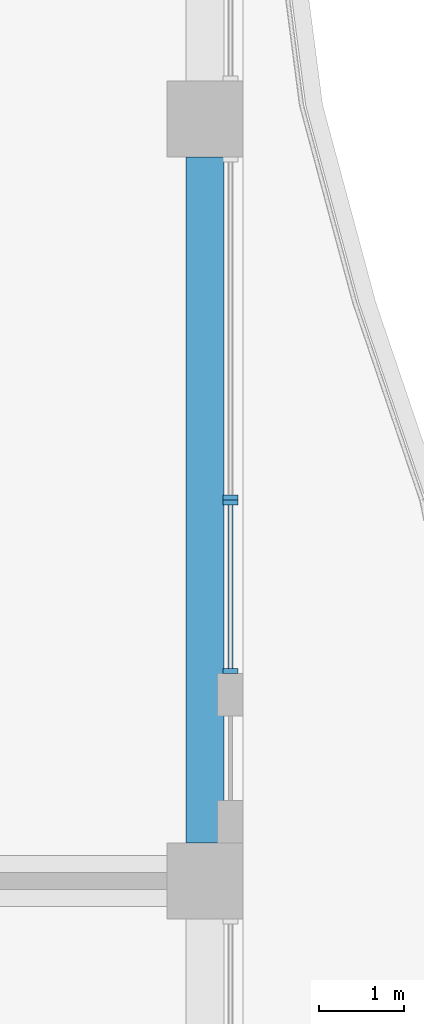
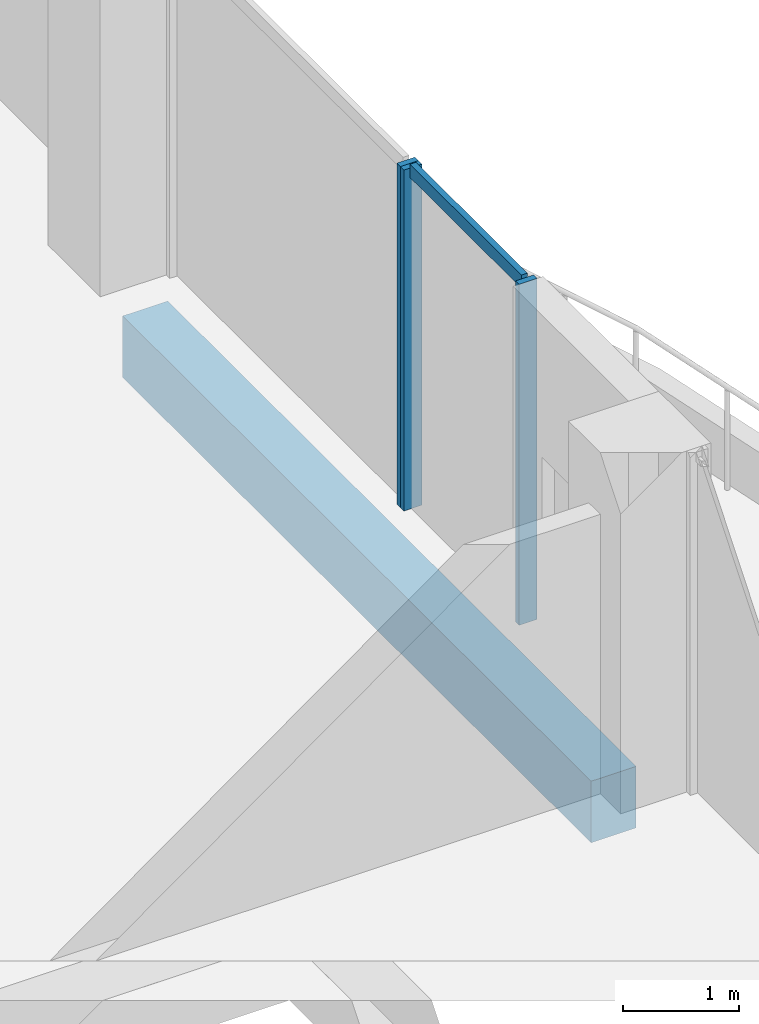
# One storey, part 8 of 23: 4 members, 1 beam, 2 elements without a shape of their own.
"""IFC4 building model written with IfcOpenShell, lengths in metres."""

from ifc_helpers import new_model, si_unit, direction, frame, origin, origin_2d, place, context, subcontext, project, spatial, rectangle, extrude, source, transform, mapped, material, material_profile, profile_set, type_object, element, aggregate, save


model = new_model("IFC4")

# Units and contexts
model_context = context("Model", 3, precision=1e-05, world=origin(), true_north=direction((0.0, 1.0)))
body_context = subcontext(model_context, "Body", "Model", "MODEL_VIEW")
ifc_project = project(units=[si_unit("LENGTHUNIT", "METRE"), si_unit("AREAUNIT", "SQUARE_METRE"), si_unit("VOLUMEUNIT", "CUBIC_METRE"), si_unit("PLANEANGLEUNIT", "RADIAN"), si_unit("MASSUNIT", "GRAM", prefix="KILO")], contexts=[model_context])

# Site, building, storey
site_placement = place(None, origin())
site = spatial("IfcSite", under=ifc_project, at=site_placement, CompositionType="ELEMENT")
building_placement = place(site_placement, origin())
building = spatial("IfcBuilding", under=site, at=building_placement, Name="Kilnfold Tower and Market Hall", CompositionType="ELEMENT")
storey_placement = place(building_placement, frame((0.0, 0.0, 55.0)))
storey = spatial("IfcBuildingStorey", under=building, at=storey_placement, Name="L12", CompositionType="ELEMENT", Elevation=55.0)

# Beam
ifc_material_1 = material(Name="Concrete C45", Category="concrete")
ifc_material_profile_1 = material_profile(ifc_material_1, rectangle(XDim=0.449951171875, YDim=0.64990234375, at=origin_2d()), Name="RC 450x650")
ifc_profile_set_1 = profile_set([ifc_material_profile_1], Name="Concrete C45")
beam_type = type_object("IfcBeamType", Name="EDGE BEAM 450X650 C45", PredefinedType="BEAM", material=ifc_profile_set_1)
shared_shape_1 = source(origin(), body_context, "Body", "SweptSolid", [
    extrude(rectangle(XDim=0.449951171875, YDim=0.64990234375, at=origin_2d()), origin(), (0.0, 0.0, 1.0), 8.10009765625),
])
beam_placement = place(storey_placement, frame((27.550048828125, -0.550048828125, -0.60498046875), z_axis=(0.0, 1.0, 0.0), x_axis=(-1.0, 0.0, 0.0)))
element("IfcBeam", 1, at=beam_placement, inside=storey, type_object=beam_type, Name="Beam EB650-B1.53", PredefinedType="BEAM", context=body_context, shape_type="MappedRepresentation", body=[
    mapped(shared_shape_1, transform((0.0, 0.0, 0.0))),
])

# Curtain wall, members
ifc_material_2 = material(Name="Aluminium and double glazing", Category="aluminium")
curtain_wall_type = type_object("IfcCurtainWallType", Name="CW OF1 VALLEY GLAZING", PredefinedType="NOTDEFINED", material=ifc_material_2)
curtain_wall_1_placement = place(storey_placement, origin())
curtain_wall_1 = element("IfcCurtainWall", 2, at=curtain_wall_1_placement, inside=storey, type_object=curtain_wall_type, Name="Curtain wall CW1 L12 E", PredefinedType="NOTDEFINED")
ifc_material_3 = material(Name="Aluminium", Category="aluminium")
ifc_material_profile_2 = material_profile(ifc_material_3, rectangle(XDim=0.06005859375, YDim=0.139892578125, at=origin_2d()), Name="TRANSOM 60x140")
ifc_profile_set_2 = profile_set([ifc_material_profile_2], Name="Aluminium")
member_type_1 = type_object("IfcMemberType", Name="TRANSOM 60X140", PredefinedType="USERDEFINED", material=ifc_profile_set_2)
shared_shape_2 = source(origin(), body_context, "Body", "SweptSolid", [
    extrude(rectangle(XDim=0.06005859375, YDim=0.139892578125, at=origin_2d()), origin(), (0.0, 0.0, 1.0), 1.929931640625),
])
member_1_placement = place(storey_placement, frame((27.85009765625, 1.510009765625, 3.570068359375), z_axis=(0.0, 1.0, 0.0), x_axis=(-1.0, 0.0, 0.0)))
member_1 = element("IfcMember", 3, at=member_1_placement, type_object=member_type_1, Name="CW1 transom 1.2", ObjectType="TRANSOM", PredefinedType="USERDEFINED", context=body_context, shape_type="MappedRepresentation", body=[
    mapped(shared_shape_2, transform((0.0, 0.0, 0.0))),
])
ifc_material_4 = material(Name="Aluminium", Category="aluminium")
ifc_material_profile_3 = material_profile(ifc_material_4, rectangle(XDim=0.06005859375, YDim=0.179931640625, at=origin_2d()), Name="MULLION 60x180")
ifc_profile_set_3 = profile_set([ifc_material_profile_3], Name="Aluminium")
member_type_2 = type_object("IfcMemberType", Name="MULLION 60X180", PredefinedType="MULLION", material=ifc_profile_set_3)
shared_shape_3 = source(origin(), body_context, "Body", "SweptSolid", [
    extrude(rectangle(XDim=0.06005859375, YDim=0.179931640625, at=origin_2d()), origin(), (0.0, 0.0, 1.0), 3.60009765625),
])
member_2_placement = place(storey_placement, frame((27.85009765625, 1.47998046875, 0.0), z_axis=(0.0, 0.0, 1.0), x_axis=(0.0, 1.0, 0.0)))
member_2 = element("IfcMember", 4, at=member_2_placement, type_object=member_type_2, Name="CW1 mullion 1", PredefinedType="MULLION", context=body_context, shape_type="MappedRepresentation", body=[
    mapped(shared_shape_3, transform((0.0, 0.0, 0.0))),
])
member_3_placement = place(storey_placement, frame((27.85009765625, 3.469970703125, 0.0), z_axis=(0.0, 0.0, 1.0), x_axis=(0.0, 1.0, 0.0)))
member_3 = element("IfcMember", 5, at=member_3_placement, type_object=member_type_2, Name="CW1 mullion 2", PredefinedType="MULLION", context=body_context, shape_type="MappedRepresentation", body=[
    mapped(shared_shape_3, transform((0.0, 0.0, 0.0))),
])
aggregate(curtain_wall_1, [member_2, member_3, member_1])

# Curtain wall, member
curtain_wall_2_placement = place(storey_placement, origin())
curtain_wall_2 = element("IfcCurtainWall", 6, at=curtain_wall_2_placement, inside=storey, type_object=curtain_wall_type, Name="Curtain wall CW1 L12 E", PredefinedType="NOTDEFINED")
member_4_placement = place(storey_placement, frame((27.85009765625, 3.530029296875, 0.0), z_axis=(0.0, 0.0, 1.0), x_axis=(0.0, 1.0, 0.0)))
member_4 = element("IfcMember", 7, at=member_4_placement, type_object=member_type_2, Name="CW1 mullion 1", PredefinedType="MULLION", context=body_context, shape_type="MappedRepresentation", body=[
    mapped(shared_shape_3, transform((0.0, 0.0, 0.0))),
])
aggregate(curtain_wall_2, [member_4])

save(model, "model.ifc")
